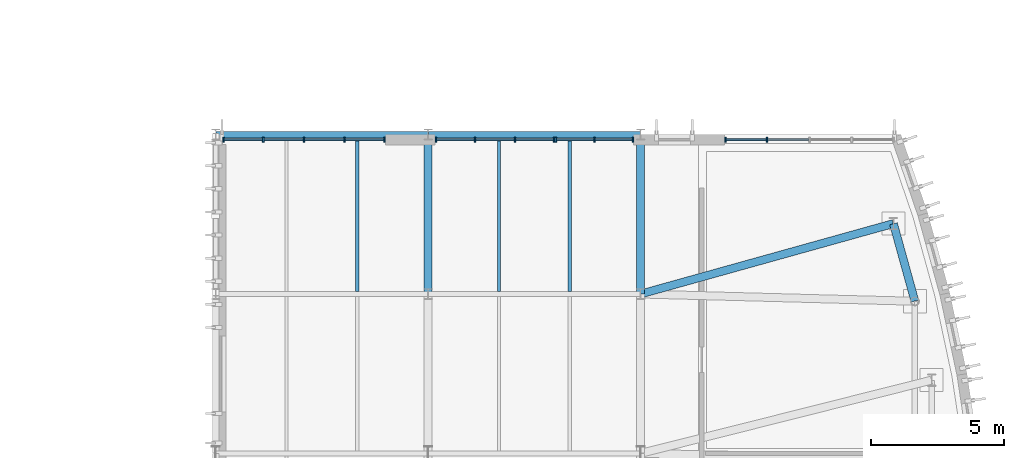
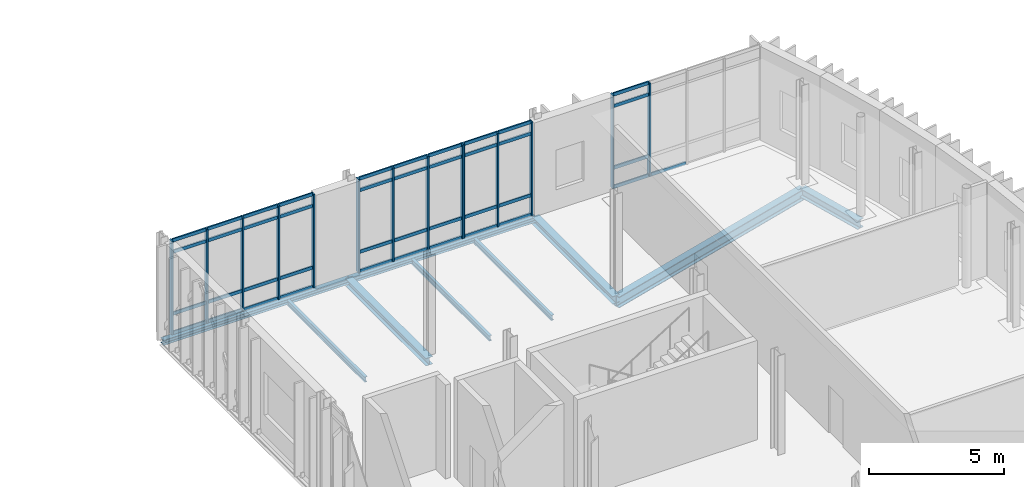
# One storey, part 42 of 86: 55 members, 9 beams, 4 elements without a shape of their own.
"""IFC4 building model written with IfcOpenShell, lengths in metres."""

from ifc_helpers import new_model, si_unit, direction, frame, origin, origin_2d, place, context, subcontext, project, spatial, rectangle, i_section, extrude, material, material_profile, profile_set, type_object, element, aggregate, save


model = new_model("IFC4")

# Units and contexts
model_context = context("Model", 3, precision=1e-05, world=origin(), true_north=direction((0.0, 1.0)))
body_context = subcontext(model_context, "Body", "Model", "MODEL_VIEW")
ifc_project = project(units=[si_unit("LENGTHUNIT", "METRE"), si_unit("AREAUNIT", "SQUARE_METRE"), si_unit("VOLUMEUNIT", "CUBIC_METRE"), si_unit("PLANEANGLEUNIT", "RADIAN"), si_unit("MASSUNIT", "GRAM", prefix="KILO")], contexts=[model_context])

# Site, building, storey
site_placement = place(None, origin())
site = spatial("IfcSite", under=ifc_project, at=site_placement, CompositionType="ELEMENT")
building_placement = place(site_placement, origin())
building = spatial("IfcBuilding", under=site, at=building_placement, Name="Cymarion Research Institute", CompositionType="ELEMENT")
storey_placement = place(building_placement, frame((0.0, 0.0, 13.800048828125)))
storey = spatial("IfcBuildingStorey", under=building, at=storey_placement, Name="L03", CompositionType="ELEMENT", Elevation=13.800048828125)

# Curtain wall, members
ifc_material_1 = material(Name="Anodised aluminium unitised curtain wall with Low-E glazing", Category="aluminium")
curtain_wall_type_1 = type_object("IfcCurtainWallType", Name="UNITISED CURTAIN WALL CW02 6390X4250", PredefinedType="NOTDEFINED", material=ifc_material_1)
curtain_wall_1_placement = place(storey_placement, origin())
curtain_wall_1 = element("IfcCurtainWall", 1, at=curtain_wall_1_placement, inside=storey, type_object=curtain_wall_type_1, Name="L03 V1 unitised curtain wall CW02 #126", PredefinedType="NOTDEFINED")
ifc_material_2 = material(Name="Anodised aluminium framing", Category="aluminium")
ifc_material_profile_1 = material_profile(ifc_material_2, rectangle(XDim=0.06005859375, YDim=0.179931640625, at=origin_2d()), Name="ALU MULLION 60x180")
ifc_profile_set_1 = profile_set([ifc_material_profile_1], Name="Anodised aluminium framing")
member_type_1 = type_object("IfcMemberType", Name="CURTAIN WALL MULLION ML01 60X180", PredefinedType="MULLION", material=ifc_profile_set_1)
member_1_placement = place(storey_placement, frame((159.3564453125, 41.31005859375, 0.0), z_axis=(0.0, 0.0, 1.0), x_axis=(-1.0, 0.0, 0.0)))
member_1 = element("IfcMember", 2, at=member_1_placement, type_object=member_type_1, Name="CW02 mullion 4", PredefinedType="MULLION", context=body_context, shape_type="SweptSolid", body=[
    extrude(rectangle(XDim=0.06005859375, YDim=0.179931640625, at=origin_2d()), origin(), (0.0, 0.0, 1.0), 4.25),
])
member_2_placement = place(storey_placement, frame((157.789794921875, 41.31005859375, 0.0), z_axis=(0.0, 0.0, 1.0), x_axis=(-1.0, 0.0, 0.0)))
member_2 = element("IfcMember", 3, at=member_2_placement, type_object=member_type_1, Name="CW02 mullion 5", PredefinedType="MULLION", context=body_context, shape_type="SweptSolid", body=[
    extrude(rectangle(XDim=0.06005859375, YDim=0.179931640625, at=origin_2d()), origin(), (0.0, 0.0, 1.0), 4.25),
])

curtain_wall_type_2 = type_object("IfcCurtainWallType", Name="UNITISED CURTAIN WALL CW03 2970X4250", PredefinedType="NOTDEFINED", material=ifc_material_1)
curtain_wall_2_placement = place(storey_placement, origin())
curtain_wall_2 = element("IfcCurtainWall", 4, at=curtain_wall_2_placement, inside=storey, type_object=curtain_wall_type_2, Name="L03 V1 unitised curtain wall CW03 #127", PredefinedType="NOTDEFINED")
member_3_placement = place(storey_placement, frame((154.31005859375, 41.31005859375, 0.0), z_axis=(0.0, 0.0, 1.0), x_axis=(-1.0, 0.0, 0.0)))
member_3 = element("IfcMember", 5, at=member_3_placement, type_object=member_type_1, Name="CW03 mullion 1", PredefinedType="MULLION", context=body_context, shape_type="SweptSolid", body=[
    extrude(rectangle(XDim=0.06005859375, YDim=0.179931640625, at=origin_2d()), origin(), (0.0, 0.0, 1.0), 4.25),
])
member_4_placement = place(storey_placement, frame((152.856689453125, 41.31005859375, 0.0), z_axis=(0.0, 0.0, 1.0), x_axis=(-1.0, 0.0, 0.0)))
member_4 = element("IfcMember", 6, at=member_4_placement, type_object=member_type_1, Name="CW03 mullion 2", PredefinedType="MULLION", context=body_context, shape_type="SweptSolid", body=[
    extrude(rectangle(XDim=0.06005859375, YDim=0.179931640625, at=origin_2d()), origin(), (0.0, 0.0, 1.0), 4.25),
])
member_5_placement = place(storey_placement, frame((151.4033203125, 41.31005859375, 0.0), z_axis=(0.0, 0.0, 1.0), x_axis=(-1.0, 0.0, 0.0)))
member_5 = element("IfcMember", 7, at=member_5_placement, type_object=member_type_1, Name="CW03 mullion 3", PredefinedType="MULLION", context=body_context, shape_type="SweptSolid", body=[
    extrude(rectangle(XDim=0.06005859375, YDim=0.179931640625, at=origin_2d()), origin(), (0.0, 0.0, 1.0), 4.25),
])

curtain_wall_type_3 = type_object("IfcCurtainWallType", Name="UNITISED CURTAIN WALL CW04 4510X4250", PredefinedType="NOTDEFINED", material=ifc_material_1)
curtain_wall_3_placement = place(storey_placement, origin())
curtain_wall_3 = element("IfcCurtainWall", 8, at=curtain_wall_3_placement, inside=storey, type_object=curtain_wall_type_3, Name="L03 V1 unitised curtain wall CW04 #128", PredefinedType="NOTDEFINED")
member_6_placement = place(storey_placement, frame((151.34326171875, 41.31005859375, 0.0), z_axis=(0.0, 0.0, 1.0), x_axis=(-1.0, 0.0, 0.0)))
member_6 = element("IfcMember", 9, at=member_6_placement, type_object=member_type_1, Name="CW04 mullion 1", PredefinedType="MULLION", context=body_context, shape_type="SweptSolid", body=[
    extrude(rectangle(XDim=0.06005859375, YDim=0.179931640625, at=origin_2d()), origin(), (0.0, 0.0, 1.0), 4.25),
])
member_7_placement = place(storey_placement, frame((149.868896484375, 41.31005859375, 0.0), z_axis=(0.0, 0.0, 1.0), x_axis=(-1.0, 0.0, 0.0)))
member_7 = element("IfcMember", 10, at=member_7_placement, type_object=member_type_1, Name="CW04 mullion 2", PredefinedType="MULLION", context=body_context, shape_type="SweptSolid", body=[
    extrude(rectangle(XDim=0.06005859375, YDim=0.179931640625, at=origin_2d()), origin(), (0.0, 0.0, 1.0), 4.25),
])
member_8_placement = place(storey_placement, frame((148.364501953125, 41.31005859375, 0.0), z_axis=(0.0, 0.0, 1.0), x_axis=(-1.0, 0.0, 0.0)))
member_8 = element("IfcMember", 11, at=member_8_placement, type_object=member_type_1, Name="CW04 mullion 3", PredefinedType="MULLION", context=body_context, shape_type="SweptSolid", body=[
    extrude(rectangle(XDim=0.06005859375, YDim=0.179931640625, at=origin_2d()), origin(), (0.0, 0.0, 1.0), 4.25),
])
member_9_placement = place(storey_placement, frame((146.889892578125, 41.31005859375, 0.0), z_axis=(0.0, 0.0, 1.0), x_axis=(-1.0, 0.0, 0.0)))
member_9 = element("IfcMember", 12, at=member_9_placement, type_object=member_type_1, Name="CW04 mullion 4", PredefinedType="MULLION", context=body_context, shape_type="SweptSolid", body=[
    extrude(rectangle(XDim=0.06005859375, YDim=0.179931640625, at=origin_2d()), origin(), (0.0, 0.0, 1.0), 4.25),
])

curtain_wall_type_4 = type_object("IfcCurtainWallType", Name="UNITISED CURTAIN WALL CW05 6130X4250", PredefinedType="NOTDEFINED", material=ifc_material_1)
curtain_wall_4_placement = place(storey_placement, origin())
curtain_wall_4 = element("IfcCurtainWall", 13, at=curtain_wall_4_placement, inside=storey, type_object=curtain_wall_type_4, Name="L03 V1 unitised curtain wall CW05 #129", PredefinedType="NOTDEFINED")
member_10_placement = place(storey_placement, frame((144.95654296875, 41.31005859375, 0.0), z_axis=(0.0, 0.0, 1.0), x_axis=(-1.0, 0.0, 0.0)))
member_10 = element("IfcMember", 14, at=member_10_placement, type_object=member_type_1, Name="CW05 mullion 1", PredefinedType="MULLION", context=body_context, shape_type="SweptSolid", body=[
    extrude(rectangle(XDim=0.06005859375, YDim=0.179931640625, at=origin_2d()), origin(), (0.0, 0.0, 1.0), 4.25),
])
member_11_placement = place(storey_placement, frame((143.454833984375, 41.31005859375, 0.0), z_axis=(0.0, 0.0, 1.0), x_axis=(-1.0, 0.0, 0.0)))
member_11 = element("IfcMember", 15, at=member_11_placement, type_object=member_type_1, Name="CW05 mullion 2", PredefinedType="MULLION", context=body_context, shape_type="SweptSolid", body=[
    extrude(rectangle(XDim=0.06005859375, YDim=0.179931640625, at=origin_2d()), origin(), (0.0, 0.0, 1.0), 4.25),
])
member_12_placement = place(storey_placement, frame((141.92333984375, 41.31005859375, 0.0), z_axis=(0.0, 0.0, 1.0), x_axis=(-1.0, 0.0, 0.0)))
member_12 = element("IfcMember", 16, at=member_12_placement, type_object=member_type_1, Name="CW05 mullion 3", PredefinedType="MULLION", context=body_context, shape_type="SweptSolid", body=[
    extrude(rectangle(XDim=0.06005859375, YDim=0.179931640625, at=origin_2d()), origin(), (0.0, 0.0, 1.0), 4.25),
])
member_13_placement = place(storey_placement, frame((140.3916015625, 41.31005859375, 0.0), z_axis=(0.0, 0.0, 1.0), x_axis=(-1.0, 0.0, 0.0)))
member_13 = element("IfcMember", 17, at=member_13_placement, type_object=member_type_1, Name="CW05 mullion 4", PredefinedType="MULLION", context=body_context, shape_type="SweptSolid", body=[
    extrude(rectangle(XDim=0.06005859375, YDim=0.179931640625, at=origin_2d()), origin(), (0.0, 0.0, 1.0), 4.25),
])
member_14_placement = place(storey_placement, frame((138.889892578125, 41.31005859375, 0.0), z_axis=(0.0, 0.0, 1.0), x_axis=(-1.0, 0.0, 0.0)))
member_14 = element("IfcMember", 18, at=member_14_placement, type_object=member_type_1, Name="CW05 mullion 5", PredefinedType="MULLION", context=body_context, shape_type="SweptSolid", body=[
    extrude(rectangle(XDim=0.06005859375, YDim=0.179931640625, at=origin_2d()), origin(), (0.0, 0.0, 1.0), 4.25),
])

# Member
ifc_material_profile_2 = material_profile(ifc_material_2, rectangle(XDim=0.06005859375, YDim=0.14990234375, at=origin_2d()), Name="ALU TRANSOM 60x150")
ifc_profile_set_2 = profile_set([ifc_material_profile_2], Name="Anodised aluminium framing")
member_type_2 = type_object("IfcMemberType", Name="CURTAIN WALL TRANSOM TR01 60X150", PredefinedType="USERDEFINED", material=ifc_profile_set_2)
member_15_placement = place(storey_placement, frame((160.923095703125, 41.31005859375, 0.030029296875), z_axis=(-1.0, 0.0, 0.0), x_axis=(0.0, -1.0, 0.0)))
member_15 = element("IfcMember", 19, at=member_15_placement, type_object=member_type_2, Name="CW02 transom 3.1", ObjectType="TRANSOM", PredefinedType="USERDEFINED", context=body_context, shape_type="SweptSolid", body=[
    extrude(rectangle(XDim=0.06005859375, YDim=0.14990234375, at=origin_2d()), origin(), (0.0, 0.0, 1.0), 1.53662109375),
])

member_16_placement = place(storey_placement, frame((159.326416015625, 41.31005859375, 0.030029296875), z_axis=(-1.0, 0.0, 0.0), x_axis=(0.0, -1.0, 0.0)))
member_16 = element("IfcMember", 20, at=member_16_placement, type_object=member_type_2, Name="CW02 transom 4.1", ObjectType="TRANSOM", PredefinedType="USERDEFINED", context=body_context, shape_type="SweptSolid", body=[
    extrude(rectangle(XDim=0.06005859375, YDim=0.14990234375, at=origin_2d()), origin(), (0.0, 0.0, 1.0), 1.506591796875),
])

member_17_placement = place(storey_placement, frame((159.326416015625, 41.31005859375, 0.89990234375), z_axis=(-1.0, 0.0, 0.0), x_axis=(0.0, -1.0, 0.0)))
member_17 = element("IfcMember", 21, at=member_17_placement, type_object=member_type_2, Name="CW02 transom 4.2", ObjectType="TRANSOM", PredefinedType="USERDEFINED", context=body_context, shape_type="SweptSolid", body=[
    extrude(rectangle(XDim=0.06005859375, YDim=0.14990234375, at=origin_2d()), origin(), (0.0, 0.0, 1.0), 1.506591796875),
])

member_18_placement = place(storey_placement, frame((159.326416015625, 41.31005859375, 3.699951171875), z_axis=(-1.0, 0.0, 0.0), x_axis=(0.0, -1.0, 0.0)))
member_18 = element("IfcMember", 22, at=member_18_placement, type_object=member_type_2, Name="CW02 transom 4.3", ObjectType="TRANSOM", PredefinedType="USERDEFINED", context=body_context, shape_type="SweptSolid", body=[
    extrude(rectangle(XDim=0.06005859375, YDim=0.14990234375, at=origin_2d()), origin(), (0.0, 0.0, 1.0), 1.506591796875),
])

member_19_placement = place(storey_placement, frame((159.326416015625, 41.31005859375, 4.219970703125), z_axis=(-1.0, 0.0, 0.0), x_axis=(0.0, -1.0, 0.0)))
member_19 = element("IfcMember", 23, at=member_19_placement, type_object=member_type_2, Name="CW02 transom 4.4", ObjectType="TRANSOM", PredefinedType="USERDEFINED", context=body_context, shape_type="SweptSolid", body=[
    extrude(rectangle(XDim=0.06005859375, YDim=0.14990234375, at=origin_2d()), origin(), (0.0, 0.0, 1.0), 1.506591796875),
])

aggregate(curtain_wall_1, [member_1, member_2, member_15, member_16, member_17, member_18, member_19])

member_20_placement = place(storey_placement, frame((154.280029296875, 41.31005859375, 0.030029296875), z_axis=(-1.0, 0.0, 0.0), x_axis=(0.0, -1.0, 0.0)))
member_20 = element("IfcMember", 24, at=member_20_placement, type_object=member_type_2, Name="CW03 transom 1.1", ObjectType="TRANSOM", PredefinedType="USERDEFINED", context=body_context, shape_type="SweptSolid", body=[
    extrude(rectangle(XDim=0.06005859375, YDim=0.14990234375, at=origin_2d()), origin(), (0.0, 0.0, 1.0), 1.393310546875),
])

member_21_placement = place(storey_placement, frame((154.280029296875, 41.31005859375, 0.89990234375), z_axis=(-1.0, 0.0, 0.0), x_axis=(0.0, -1.0, 0.0)))
member_21 = element("IfcMember", 25, at=member_21_placement, type_object=member_type_2, Name="CW03 transom 1.2", ObjectType="TRANSOM", PredefinedType="USERDEFINED", context=body_context, shape_type="SweptSolid", body=[
    extrude(rectangle(XDim=0.06005859375, YDim=0.14990234375, at=origin_2d()), origin(), (0.0, 0.0, 1.0), 1.393310546875),
])

member_22_placement = place(storey_placement, frame((154.280029296875, 41.31005859375, 3.699951171875), z_axis=(-1.0, 0.0, 0.0), x_axis=(0.0, -1.0, 0.0)))
member_22 = element("IfcMember", 26, at=member_22_placement, type_object=member_type_2, Name="CW03 transom 1.3", ObjectType="TRANSOM", PredefinedType="USERDEFINED", context=body_context, shape_type="SweptSolid", body=[
    extrude(rectangle(XDim=0.06005859375, YDim=0.14990234375, at=origin_2d()), origin(), (0.0, 0.0, 1.0), 1.393310546875),
])

member_23_placement = place(storey_placement, frame((154.280029296875, 41.31005859375, 4.219970703125), z_axis=(-1.0, 0.0, 0.0), x_axis=(0.0, -1.0, 0.0)))
member_23 = element("IfcMember", 27, at=member_23_placement, type_object=member_type_2, Name="CW03 transom 1.4", ObjectType="TRANSOM", PredefinedType="USERDEFINED", context=body_context, shape_type="SweptSolid", body=[
    extrude(rectangle(XDim=0.06005859375, YDim=0.14990234375, at=origin_2d()), origin(), (0.0, 0.0, 1.0), 1.393310546875),
])

member_24_placement = place(storey_placement, frame((152.82666015625, 41.31005859375, 0.030029296875), z_axis=(-1.0, 0.0, 0.0), x_axis=(0.0, -1.0, 0.0)))
member_24 = element("IfcMember", 28, at=member_24_placement, type_object=member_type_2, Name="CW03 transom 2.1", ObjectType="TRANSOM", PredefinedType="USERDEFINED", context=body_context, shape_type="SweptSolid", body=[
    extrude(rectangle(XDim=0.06005859375, YDim=0.14990234375, at=origin_2d()), origin(), (0.0, 0.0, 1.0), 1.3935546875),
])

member_25_placement = place(storey_placement, frame((152.82666015625, 41.31005859375, 0.89990234375), z_axis=(-1.0, 0.0, 0.0), x_axis=(0.0, -1.0, 0.0)))
member_25 = element("IfcMember", 29, at=member_25_placement, type_object=member_type_2, Name="CW03 transom 2.2", ObjectType="TRANSOM", PredefinedType="USERDEFINED", context=body_context, shape_type="SweptSolid", body=[
    extrude(rectangle(XDim=0.06005859375, YDim=0.14990234375, at=origin_2d()), origin(), (0.0, 0.0, 1.0), 1.3935546875),
])

member_26_placement = place(storey_placement, frame((152.82666015625, 41.31005859375, 3.699951171875), z_axis=(-1.0, 0.0, 0.0), x_axis=(0.0, -1.0, 0.0)))
member_26 = element("IfcMember", 30, at=member_26_placement, type_object=member_type_2, Name="CW03 transom 2.3", ObjectType="TRANSOM", PredefinedType="USERDEFINED", context=body_context, shape_type="SweptSolid", body=[
    extrude(rectangle(XDim=0.06005859375, YDim=0.14990234375, at=origin_2d()), origin(), (0.0, 0.0, 1.0), 1.3935546875),
])

member_27_placement = place(storey_placement, frame((152.82666015625, 41.31005859375, 4.219970703125), z_axis=(-1.0, 0.0, 0.0), x_axis=(0.0, -1.0, 0.0)))
member_27 = element("IfcMember", 31, at=member_27_placement, type_object=member_type_2, Name="CW03 transom 2.4", ObjectType="TRANSOM", PredefinedType="USERDEFINED", context=body_context, shape_type="SweptSolid", body=[
    extrude(rectangle(XDim=0.06005859375, YDim=0.14990234375, at=origin_2d()), origin(), (0.0, 0.0, 1.0), 1.3935546875),
])

aggregate(curtain_wall_2, [member_3, member_4, member_5, member_20, member_21, member_22, member_23, member_24, member_25, member_26, member_27])

member_28_placement = place(storey_placement, frame((151.313232421875, 41.31005859375, 0.030029296875), z_axis=(-1.0, 0.0, 0.0), x_axis=(0.0, -1.0, 0.0)))
member_28 = element("IfcMember", 32, at=member_28_placement, type_object=member_type_2, Name="CW04 transom 1.1", ObjectType="TRANSOM", PredefinedType="USERDEFINED", context=body_context, shape_type="SweptSolid", body=[
    extrude(rectangle(XDim=0.06005859375, YDim=0.14990234375, at=origin_2d()), origin(), (0.0, 0.0, 1.0), 1.41455078125),
])

member_29_placement = place(storey_placement, frame((151.313232421875, 41.31005859375, 0.89990234375), z_axis=(-1.0, 0.0, 0.0), x_axis=(0.0, -1.0, 0.0)))
member_29 = element("IfcMember", 33, at=member_29_placement, type_object=member_type_2, Name="CW04 transom 1.2", ObjectType="TRANSOM", PredefinedType="USERDEFINED", context=body_context, shape_type="SweptSolid", body=[
    extrude(rectangle(XDim=0.06005859375, YDim=0.14990234375, at=origin_2d()), origin(), (0.0, 0.0, 1.0), 1.41455078125),
])

member_30_placement = place(storey_placement, frame((151.313232421875, 41.31005859375, 3.699951171875), z_axis=(-1.0, 0.0, 0.0), x_axis=(0.0, -1.0, 0.0)))
member_30 = element("IfcMember", 34, at=member_30_placement, type_object=member_type_2, Name="CW04 transom 1.3", ObjectType="TRANSOM", PredefinedType="USERDEFINED", context=body_context, shape_type="SweptSolid", body=[
    extrude(rectangle(XDim=0.06005859375, YDim=0.14990234375, at=origin_2d()), origin(), (0.0, 0.0, 1.0), 1.41455078125),
])

member_31_placement = place(storey_placement, frame((151.313232421875, 41.31005859375, 4.219970703125), z_axis=(-1.0, 0.0, 0.0), x_axis=(0.0, -1.0, 0.0)))
member_31 = element("IfcMember", 35, at=member_31_placement, type_object=member_type_2, Name="CW04 transom 1.4", ObjectType="TRANSOM", PredefinedType="USERDEFINED", context=body_context, shape_type="SweptSolid", body=[
    extrude(rectangle(XDim=0.06005859375, YDim=0.14990234375, at=origin_2d()), origin(), (0.0, 0.0, 1.0), 1.41455078125),
])

member_32_placement = place(storey_placement, frame((149.8388671875, 41.31005859375, 0.030029296875), z_axis=(-1.0, 0.0, 0.0), x_axis=(0.0, -1.0, 0.0)))
member_32 = element("IfcMember", 36, at=member_32_placement, type_object=member_type_2, Name="CW04 transom 2.1", ObjectType="TRANSOM", PredefinedType="USERDEFINED", context=body_context, shape_type="SweptSolid", body=[
    extrude(rectangle(XDim=0.06005859375, YDim=0.14990234375, at=origin_2d()), origin(), (0.0, 0.0, 1.0), 1.444580078125),
])

member_33_placement = place(storey_placement, frame((149.8388671875, 41.31005859375, 0.89990234375), z_axis=(-1.0, 0.0, 0.0), x_axis=(0.0, -1.0, 0.0)))
member_33 = element("IfcMember", 37, at=member_33_placement, type_object=member_type_2, Name="CW04 transom 2.2", ObjectType="TRANSOM", PredefinedType="USERDEFINED", context=body_context, shape_type="SweptSolid", body=[
    extrude(rectangle(XDim=0.06005859375, YDim=0.14990234375, at=origin_2d()), origin(), (0.0, 0.0, 1.0), 1.444580078125),
])

member_34_placement = place(storey_placement, frame((149.8388671875, 41.31005859375, 3.699951171875), z_axis=(-1.0, 0.0, 0.0), x_axis=(0.0, -1.0, 0.0)))
member_34 = element("IfcMember", 38, at=member_34_placement, type_object=member_type_2, Name="CW04 transom 2.3", ObjectType="TRANSOM", PredefinedType="USERDEFINED", context=body_context, shape_type="SweptSolid", body=[
    extrude(rectangle(XDim=0.06005859375, YDim=0.14990234375, at=origin_2d()), origin(), (0.0, 0.0, 1.0), 1.444580078125),
])

member_35_placement = place(storey_placement, frame((149.8388671875, 41.31005859375, 4.219970703125), z_axis=(-1.0, 0.0, 0.0), x_axis=(0.0, -1.0, 0.0)))
member_35 = element("IfcMember", 39, at=member_35_placement, type_object=member_type_2, Name="CW04 transom 2.4", ObjectType="TRANSOM", PredefinedType="USERDEFINED", context=body_context, shape_type="SweptSolid", body=[
    extrude(rectangle(XDim=0.06005859375, YDim=0.14990234375, at=origin_2d()), origin(), (0.0, 0.0, 1.0), 1.444580078125),
])

member_36_placement = place(storey_placement, frame((148.33447265625, 41.31005859375, 0.030029296875), z_axis=(-1.0, 0.0, 0.0), x_axis=(0.0, -1.0, 0.0)))
member_36 = element("IfcMember", 40, at=member_36_placement, type_object=member_type_2, Name="CW04 transom 3.1", ObjectType="TRANSOM", PredefinedType="USERDEFINED", context=body_context, shape_type="SweptSolid", body=[
    extrude(rectangle(XDim=0.06005859375, YDim=0.14990234375, at=origin_2d()), origin(), (0.0, 0.0, 1.0), 1.41455078125),
])

member_37_placement = place(storey_placement, frame((148.33447265625, 41.31005859375, 0.89990234375), z_axis=(-1.0, 0.0, 0.0), x_axis=(0.0, -1.0, 0.0)))
member_37 = element("IfcMember", 41, at=member_37_placement, type_object=member_type_2, Name="CW04 transom 3.2", ObjectType="TRANSOM", PredefinedType="USERDEFINED", context=body_context, shape_type="SweptSolid", body=[
    extrude(rectangle(XDim=0.06005859375, YDim=0.14990234375, at=origin_2d()), origin(), (0.0, 0.0, 1.0), 1.41455078125),
])

member_38_placement = place(storey_placement, frame((148.33447265625, 41.31005859375, 3.699951171875), z_axis=(-1.0, 0.0, 0.0), x_axis=(0.0, -1.0, 0.0)))
member_38 = element("IfcMember", 42, at=member_38_placement, type_object=member_type_2, Name="CW04 transom 3.3", ObjectType="TRANSOM", PredefinedType="USERDEFINED", context=body_context, shape_type="SweptSolid", body=[
    extrude(rectangle(XDim=0.06005859375, YDim=0.14990234375, at=origin_2d()), origin(), (0.0, 0.0, 1.0), 1.41455078125),
])

member_39_placement = place(storey_placement, frame((148.33447265625, 41.31005859375, 4.219970703125), z_axis=(-1.0, 0.0, 0.0), x_axis=(0.0, -1.0, 0.0)))
member_39 = element("IfcMember", 43, at=member_39_placement, type_object=member_type_2, Name="CW04 transom 3.4", ObjectType="TRANSOM", PredefinedType="USERDEFINED", context=body_context, shape_type="SweptSolid", body=[
    extrude(rectangle(XDim=0.06005859375, YDim=0.14990234375, at=origin_2d()), origin(), (0.0, 0.0, 1.0), 1.41455078125),
])

aggregate(curtain_wall_3, [member_6, member_7, member_8, member_9, member_28, member_29, member_30, member_31, member_32, member_33, member_34, member_35, member_36, member_37, member_38, member_39])

member_40_placement = place(storey_placement, frame((144.926513671875, 41.31005859375, 0.030029296875), z_axis=(-1.0, 0.0, 0.0), x_axis=(0.0, -1.0, 0.0)))
member_40 = element("IfcMember", 44, at=member_40_placement, type_object=member_type_2, Name="CW05 transom 1.1", ObjectType="TRANSOM", PredefinedType="USERDEFINED", context=body_context, shape_type="SweptSolid", body=[
    extrude(rectangle(XDim=0.06005859375, YDim=0.14990234375, at=origin_2d()), origin(), (0.0, 0.0, 1.0), 1.441650390625),
])

member_41_placement = place(storey_placement, frame((144.926513671875, 41.31005859375, 0.89990234375), z_axis=(-1.0, 0.0, 0.0), x_axis=(0.0, -1.0, 0.0)))
member_41 = element("IfcMember", 45, at=member_41_placement, type_object=member_type_2, Name="CW05 transom 1.2", ObjectType="TRANSOM", PredefinedType="USERDEFINED", context=body_context, shape_type="SweptSolid", body=[
    extrude(rectangle(XDim=0.06005859375, YDim=0.14990234375, at=origin_2d()), origin(), (0.0, 0.0, 1.0), 1.441650390625),
])

member_42_placement = place(storey_placement, frame((144.926513671875, 41.31005859375, 3.699951171875), z_axis=(-1.0, 0.0, 0.0), x_axis=(0.0, -1.0, 0.0)))
member_42 = element("IfcMember", 46, at=member_42_placement, type_object=member_type_2, Name="CW05 transom 1.3", ObjectType="TRANSOM", PredefinedType="USERDEFINED", context=body_context, shape_type="SweptSolid", body=[
    extrude(rectangle(XDim=0.06005859375, YDim=0.14990234375, at=origin_2d()), origin(), (0.0, 0.0, 1.0), 1.441650390625),
])

member_43_placement = place(storey_placement, frame((144.926513671875, 41.31005859375, 4.219970703125), z_axis=(-1.0, 0.0, 0.0), x_axis=(0.0, -1.0, 0.0)))
member_43 = element("IfcMember", 47, at=member_43_placement, type_object=member_type_2, Name="CW05 transom 1.4", ObjectType="TRANSOM", PredefinedType="USERDEFINED", context=body_context, shape_type="SweptSolid", body=[
    extrude(rectangle(XDim=0.06005859375, YDim=0.14990234375, at=origin_2d()), origin(), (0.0, 0.0, 1.0), 1.441650390625),
])

member_44_placement = place(storey_placement, frame((143.425048828125, 41.31005859375, 0.030029296875), z_axis=(-1.0, 0.0, 0.0), x_axis=(0.0, -1.0, 0.0)))
member_44 = element("IfcMember", 48, at=member_44_placement, type_object=member_type_2, Name="CW05 transom 2.1", ObjectType="TRANSOM", PredefinedType="USERDEFINED", context=body_context, shape_type="SweptSolid", body=[
    extrude(rectangle(XDim=0.06005859375, YDim=0.14990234375, at=origin_2d()), origin(), (0.0, 0.0, 1.0), 1.4716796875),
])

member_45_placement = place(storey_placement, frame((143.425048828125, 41.31005859375, 0.89990234375), z_axis=(-1.0, 0.0, 0.0), x_axis=(0.0, -1.0, 0.0)))
member_45 = element("IfcMember", 49, at=member_45_placement, type_object=member_type_2, Name="CW05 transom 2.2", ObjectType="TRANSOM", PredefinedType="USERDEFINED", context=body_context, shape_type="SweptSolid", body=[
    extrude(rectangle(XDim=0.06005859375, YDim=0.14990234375, at=origin_2d()), origin(), (0.0, 0.0, 1.0), 1.4716796875),
])

member_46_placement = place(storey_placement, frame((143.425048828125, 41.31005859375, 3.699951171875), z_axis=(-1.0, 0.0, 0.0), x_axis=(0.0, -1.0, 0.0)))
member_46 = element("IfcMember", 50, at=member_46_placement, type_object=member_type_2, Name="CW05 transom 2.3", ObjectType="TRANSOM", PredefinedType="USERDEFINED", context=body_context, shape_type="SweptSolid", body=[
    extrude(rectangle(XDim=0.06005859375, YDim=0.14990234375, at=origin_2d()), origin(), (0.0, 0.0, 1.0), 1.4716796875),
])

member_47_placement = place(storey_placement, frame((143.425048828125, 41.31005859375, 4.219970703125), z_axis=(-1.0, 0.0, 0.0), x_axis=(0.0, -1.0, 0.0)))
member_47 = element("IfcMember", 51, at=member_47_placement, type_object=member_type_2, Name="CW05 transom 2.4", ObjectType="TRANSOM", PredefinedType="USERDEFINED", context=body_context, shape_type="SweptSolid", body=[
    extrude(rectangle(XDim=0.06005859375, YDim=0.14990234375, at=origin_2d()), origin(), (0.0, 0.0, 1.0), 1.4716796875),
])

member_48_placement = place(storey_placement, frame((141.893310546875, 41.31005859375, 0.030029296875), z_axis=(-1.0, 0.0, 0.0), x_axis=(0.0, -1.0, 0.0)))
member_48 = element("IfcMember", 52, at=member_48_placement, type_object=member_type_2, Name="CW05 transom 3.1", ObjectType="TRANSOM", PredefinedType="USERDEFINED", context=body_context, shape_type="SweptSolid", body=[
    extrude(rectangle(XDim=0.06005859375, YDim=0.14990234375, at=origin_2d()), origin(), (0.0, 0.0, 1.0), 1.4716796875),
])

member_49_placement = place(storey_placement, frame((141.893310546875, 41.31005859375, 0.89990234375), z_axis=(-1.0, 0.0, 0.0), x_axis=(0.0, -1.0, 0.0)))
member_49 = element("IfcMember", 53, at=member_49_placement, type_object=member_type_2, Name="CW05 transom 3.2", ObjectType="TRANSOM", PredefinedType="USERDEFINED", context=body_context, shape_type="SweptSolid", body=[
    extrude(rectangle(XDim=0.06005859375, YDim=0.14990234375, at=origin_2d()), origin(), (0.0, 0.0, 1.0), 1.4716796875),
])

member_50_placement = place(storey_placement, frame((141.893310546875, 41.31005859375, 3.699951171875), z_axis=(-1.0, 0.0, 0.0), x_axis=(0.0, -1.0, 0.0)))
member_50 = element("IfcMember", 54, at=member_50_placement, type_object=member_type_2, Name="CW05 transom 3.3", ObjectType="TRANSOM", PredefinedType="USERDEFINED", context=body_context, shape_type="SweptSolid", body=[
    extrude(rectangle(XDim=0.06005859375, YDim=0.14990234375, at=origin_2d()), origin(), (0.0, 0.0, 1.0), 1.4716796875),
])

member_51_placement = place(storey_placement, frame((141.893310546875, 41.31005859375, 4.219970703125), z_axis=(-1.0, 0.0, 0.0), x_axis=(0.0, -1.0, 0.0)))
member_51 = element("IfcMember", 55, at=member_51_placement, type_object=member_type_2, Name="CW05 transom 3.4", ObjectType="TRANSOM", PredefinedType="USERDEFINED", context=body_context, shape_type="SweptSolid", body=[
    extrude(rectangle(XDim=0.06005859375, YDim=0.14990234375, at=origin_2d()), origin(), (0.0, 0.0, 1.0), 1.4716796875),
])

member_52_placement = place(storey_placement, frame((140.361572265625, 41.31005859375, 0.030029296875), z_axis=(-1.0, 0.0, 0.0), x_axis=(0.0, -1.0, 0.0)))
member_52 = element("IfcMember", 56, at=member_52_placement, type_object=member_type_2, Name="CW05 transom 4.1", ObjectType="TRANSOM", PredefinedType="USERDEFINED", context=body_context, shape_type="SweptSolid", body=[
    extrude(rectangle(XDim=0.06005859375, YDim=0.14990234375, at=origin_2d()), origin(), (0.0, 0.0, 1.0), 1.441650390625),
])

member_53_placement = place(storey_placement, frame((140.361572265625, 41.31005859375, 0.89990234375), z_axis=(-1.0, 0.0, 0.0), x_axis=(0.0, -1.0, 0.0)))
member_53 = element("IfcMember", 57, at=member_53_placement, type_object=member_type_2, Name="CW05 transom 4.2", ObjectType="TRANSOM", PredefinedType="USERDEFINED", context=body_context, shape_type="SweptSolid", body=[
    extrude(rectangle(XDim=0.06005859375, YDim=0.14990234375, at=origin_2d()), origin(), (0.0, 0.0, 1.0), 1.441650390625),
])

member_54_placement = place(storey_placement, frame((140.361572265625, 41.31005859375, 3.699951171875), z_axis=(-1.0, 0.0, 0.0), x_axis=(0.0, -1.0, 0.0)))
member_54 = element("IfcMember", 58, at=member_54_placement, type_object=member_type_2, Name="CW05 transom 4.3", ObjectType="TRANSOM", PredefinedType="USERDEFINED", context=body_context, shape_type="SweptSolid", body=[
    extrude(rectangle(XDim=0.06005859375, YDim=0.14990234375, at=origin_2d()), origin(), (0.0, 0.0, 1.0), 1.441650390625),
])

member_55_placement = place(storey_placement, frame((140.361572265625, 41.31005859375, 4.219970703125), z_axis=(-1.0, 0.0, 0.0), x_axis=(0.0, -1.0, 0.0)))
member_55 = element("IfcMember", 59, at=member_55_placement, type_object=member_type_2, Name="CW05 transom 4.4", ObjectType="TRANSOM", PredefinedType="USERDEFINED", context=body_context, shape_type="SweptSolid", body=[
    extrude(rectangle(XDim=0.06005859375, YDim=0.14990234375, at=origin_2d()), origin(), (0.0, 0.0, 1.0), 1.441650390625),
])

aggregate(curtain_wall_4, [member_10, member_11, member_12, member_13, member_14, member_40, member_41, member_42, member_43, member_44, member_45, member_46, member_47, member_48, member_49, member_50, member_51, member_52, member_53, member_54, member_55])

# Beams
ifc_material_3 = material(Name="Steel S355", Category="steel")
ifc_material_profile_3 = material_profile(ifc_material_3, i_section(OverallWidth=0.300048828125, OverallDepth=0.5, WebThickness=0.014404296875, FlangeThickness=0.028076171875, FilletRadius=0.027099609375, at=origin_2d()), Name="HEB 500")
ifc_profile_set_3 = profile_set([ifc_material_profile_3], Name="Steel S355")
beam_type_1 = type_object("IfcBeamType", Name="PRIMARY GIRDER BM09 HEB 500", PredefinedType="BEAM", material=ifc_profile_set_3)
beam_1_placement = place(storey_placement, frame((154.607666015625, 35.502197265625, -0.5), z_axis=(0.963288176514, 0.26846953084, 0.0), x_axis=(-0.26846953084, 0.963288176514, 0.0)))
element("IfcBeam", 60, at=beam_1_placement, inside=storey, type_object=beam_type_1, Name="L03 V1 radial prow girder BM09 #1240", PredefinedType="BEAM", context=body_context, shape_type="SweptSolid", body=[
    extrude(i_section(OverallWidth=0.300048828125, OverallDepth=0.5, WebThickness=0.014404296875, FlangeThickness=0.028076171875, FilletRadius=0.027099609375, at=origin_2d()), origin(), (0.0, 0.0, 1.0), 9.865966796875),
])
ifc_material_profile_4 = material_profile(ifc_material_3, i_section(OverallWidth=0.300048828125, OverallDepth=0.39990234375, WebThickness=0.013427734375, FlangeThickness=0.02392578125, FilletRadius=0.027099609375, at=origin_2d()), Name="HEB 400")
ifc_profile_set_4 = profile_set([ifc_material_profile_4], Name="Steel S355")
beam_type_2 = type_object("IfcBeamType", Name="PRIMARY GIRDER BM11 HEB 400", PredefinedType="BEAM", material=ifc_profile_set_4)
beam_2_placement = place(storey_placement, frame((164.92578125, 35.235107421875, -0.449951171875), z_axis=(-0.266509343606, 0.963832334885, 0.0), x_axis=(-0.963832334885, -0.266509343606, 0.0)))
element("IfcBeam", 61, at=beam_2_placement, inside=storey, type_object=beam_type_2, Name="L03 V1 prow ring girder BM11 #1230", PredefinedType="BEAM", context=body_context, shape_type="SweptSolid", body=[
    extrude(i_section(OverallWidth=0.300048828125, OverallDepth=0.39990234375, WebThickness=0.013427734375, FlangeThickness=0.02392578125, FilletRadius=0.027099609375, at=origin_2d()), origin(), (0.0, 0.0, 1.0), 3.019287109375),
])
ifc_material_profile_5 = material_profile(ifc_material_3, i_section(OverallWidth=0.300048828125, OverallDepth=0.35009765625, WebThickness=0.010009765625, FlangeThickness=0.017578125, FilletRadius=0.027099609375, at=origin_2d()), Name="HEA 360")
ifc_profile_set_5 = profile_set([ifc_material_profile_5], Name="Steel S355")
beam_type_3 = type_object("IfcBeamType", Name="PRIMARY GIRDER BM12 HEA 360", PredefinedType="BEAM", material=ifc_profile_set_5)
for number, where, z_axis, x_axis, name in (
    (62, (146.60009765625, 35.506103515625, -0.425048828125), (0.0, 1.0, 0.0), (-1.0, 0.0, 0.0), "L03 V1 girder BM12 #1218"),
    (63, (154.60009765625, 35.506103515625, -0.425048828125), (0.0, 1.0, 0.0), (-1.0, 0.0, 0.0), "L03 V1 girder BM12 #1223"),
):
    element("IfcBeam", number, at=place(storey_placement, frame(where, z_axis=z_axis, x_axis=x_axis)), inside=storey, type_object=beam_type_3, Name=name, PredefinedType="BEAM", context=body_context, shape_type="SweptSolid", body=[
        extrude(i_section(OverallWidth=0.300048828125, OverallDepth=0.35009765625, WebThickness=0.010009765625, FlangeThickness=0.017578125, FilletRadius=0.027099609375, at=origin_2d()), origin(), (0.0, 0.0, 1.0), 5.98779296875),
    ])
ifc_material_profile_6 = material_profile(ifc_material_3, i_section(OverallWidth=0.1201171875, OverallDepth=0.239990234375, WebThickness=0.006103515625, FlangeThickness=0.009765625, FilletRadius=0.014892578125, at=origin_2d()), Name="IPE 240")
ifc_profile_set_6 = profile_set([ifc_material_profile_6], Name="Steel S355")
beam_type_4 = type_object("IfcBeamType", Name="SECONDARY JOIST JS04 IPE 240", PredefinedType="JOIST", material=ifc_profile_set_6)
for number, where, z_axis, x_axis, name in (
    (64, (143.933349609375, 35.593994140625, -0.3701171875), (0.0, 1.0, 0.0), (-1.0, 0.0, 0.0), "L03 V1 secondary joist JS04 #1275"),
    (65, (149.2666015625, 35.593994140625, -0.3701171875), (0.0, 1.0, 0.0), (-1.0, 0.0, 0.0), "L03 V1 secondary joist JS04 #1276"),
    (66, (151.933349609375, 35.593994140625, -0.3701171875), (0.0, 1.0, 0.0), (-1.0, 0.0, 0.0), "L03 V1 secondary joist JS04 #1277"),
):
    element("IfcBeam", number, at=place(storey_placement, frame(where, z_axis=z_axis, x_axis=x_axis)), inside=storey, type_object=beam_type_4, Name=name, PredefinedType="JOIST", context=body_context, shape_type="SweptSolid", body=[
        extrude(i_section(OverallWidth=0.1201171875, OverallDepth=0.239990234375, WebThickness=0.006103515625, FlangeThickness=0.009765625, FilletRadius=0.014892578125, at=origin_2d()), origin(), (0.0, 0.0, 1.0), 5.781982421875),
    ])
ifc_material_profile_7 = material_profile(ifc_material_3, i_section(OverallWidth=0.239990234375, OverallDepth=0.22998046875, WebThickness=0.007568359375, FlangeThickness=0.011962890625, FilletRadius=0.02099609375, at=origin_2d()), Name="HEA 240")
ifc_profile_set_7 = profile_set([ifc_material_profile_7], Name="Steel S355")
beam_type_5 = type_object("IfcBeamType", Name="SPANDREL BEAM SPB03 HEA 240", PredefinedType="SPANDREL", material=ifc_profile_set_7)
for number, where, z_axis, x_axis, name in (
    (67, (138.60595703125, 41.5, -0.364990234375), (1.0, 0.0, 0.0), (0.0, 1.0, 0.0), "L03 V1 girder SPB03 #1194"),
    (68, (146.60595703125, 41.5, -0.364990234375), (1.0, 0.0, 0.0), (0.0, 1.0, 0.0), "L03 V1 girder SPB03 #1195"),
):
    element("IfcBeam", number, at=place(storey_placement, frame(where, z_axis=z_axis, x_axis=x_axis)), inside=storey, type_object=beam_type_5, Name=name, PredefinedType="SPANDREL", context=body_context, shape_type="SweptSolid", body=[
        extrude(i_section(OverallWidth=0.239990234375, OverallDepth=0.22998046875, WebThickness=0.007568359375, FlangeThickness=0.011962890625, FilletRadius=0.02099609375, at=origin_2d()), origin(), (0.0, 0.0, 1.0), 7.988037109375),
    ])

save(model, "model.ifc")
